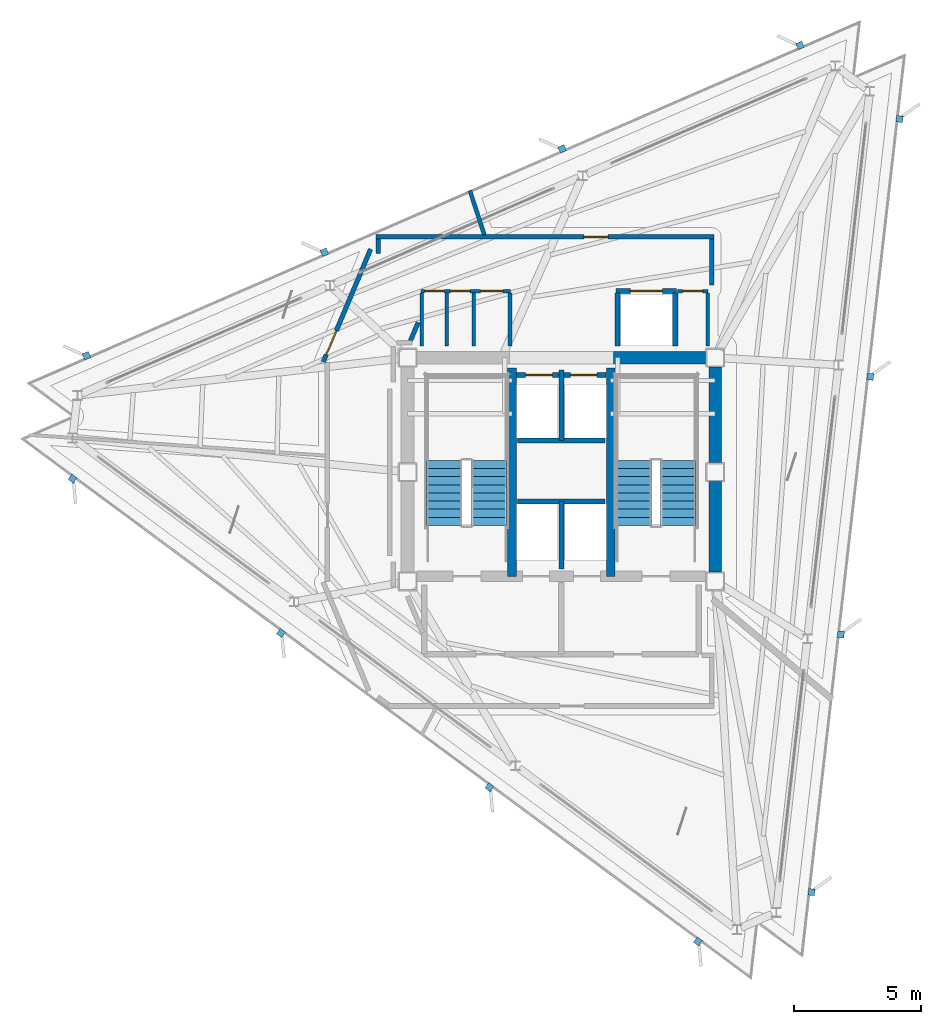
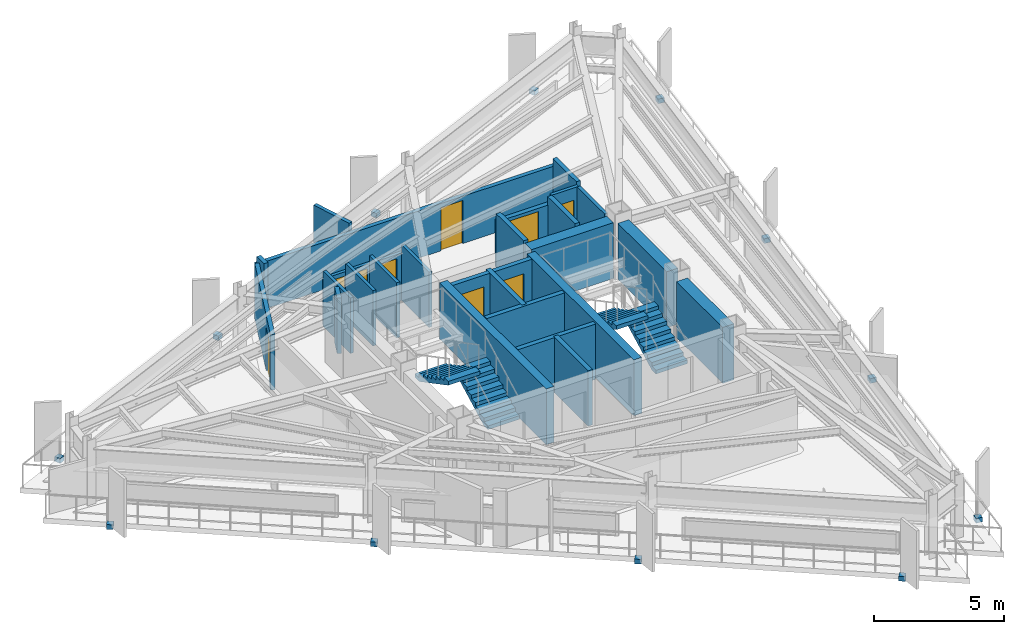
# One storey, part 6 of 9: 26 walls, 12 discrete accessories, 9 doors, 4 stair flights, 9 openings, 2 elements without a shape of their own.
"""IFC4 building model written with IfcOpenShell, lengths in metres."""

from ifc_helpers import new_model, si_unit, direction, frame, frame_2d, origin, origin_2d, place, context, subcontext, project, spatial, polyline, rectangle, outline, extrude, material, layer, layer_set, type_object, element, fill, aggregate, save


model = new_model("IFC4")

# Units and contexts
model_context = context("Model", 3, precision=1e-05, world=origin(), true_north=direction((0.0, 1.0)))
body_context = subcontext(model_context, "Body", "Model", "MODEL_VIEW")
ifc_project = project(units=[si_unit("LENGTHUNIT", "METRE"), si_unit("AREAUNIT", "SQUARE_METRE"), si_unit("VOLUMEUNIT", "CUBIC_METRE"), si_unit("PLANEANGLEUNIT", "RADIAN"), si_unit("MASSUNIT", "GRAM", prefix="KILO")], contexts=[model_context])

# Site, building, storey
site_placement = place(None, origin())
site = spatial("IfcSite", under=ifc_project, at=site_placement, CompositionType="ELEMENT")
building_placement = place(site_placement, origin())
building = spatial("IfcBuilding", under=site, at=building_placement, Name="Rocaltana Carrier Exchange", CompositionType="ELEMENT")
storey_placement = place(building_placement, frame((0.0, 0.0, 236.159912109375)))
storey = spatial("IfcBuildingStorey", under=building, at=storey_placement, Name="L75", CompositionType="ELEMENT", Elevation=236.159912109375)

# Walls
ifc_material_1 = material(Name="Double Acoustic Gypsum Partition", Category="gypsum")
ifc_layer_1 = layer(ifc_material_1, 0.159912109375)
ifc_layer_set_1 = layer_set([ifc_layer_1], Name="Double Acoustic Gypsum Partition")
wall_type_1 = type_object("IfcWallType", Name="Acoustic Studio Partition 160 EI60", PredefinedType="PARTITIONING", material=ifc_layer_set_1)
wall_1_placement = place(storey_placement, frame((-3.031494140625, 9.330078125, 0.0), z_axis=(0.0, 0.0, 1.0), x_axis=(-0.309047032626, 0.951046755751, 0.0)))
element("IfcWall", 1, at=wall_1_placement, inside=storey, type_object=wall_type_1, Name="L75 Suite Divider Wall D3", PredefinedType="PARTITIONING", context=body_context, shape_type="SweptSolid", body=[
    extrude(rectangle(XDim=1.83837890625, YDim=0.159912109375, at=frame_2d((0.919189453125, 0.0))), origin(), (0.0, 0.0, 1.0), 2.593017578125),
])
ifc_material_2 = material(Name="Concrete C50/60", Category="concrete")
ifc_layer_2 = layer(ifc_material_2, 0.35009765625)
ifc_layer_set_2 = layer_set([ifc_layer_2], Name="Concrete C50/60")
wall_type_2 = type_object("IfcWallType", Name="Core Internal Shear Wall 350", PredefinedType="SHEAR", material=ifc_layer_set_2)
for number, where, z_axis, x_axis, name in (
    (2, (-1.93994140625, -4.10009765625, 0.0), (0.0, 0.0, 1.0), (0.0, 1.0, 0.0), "L75 Core Shear Wall CW-STW"),
    (3, (1.93994140625, -4.10009765625, 0.0), (0.0, 0.0, 1.0), (0.0, 1.0, 0.0), "L75 Core Shear Wall CW-STE"),
):
    element("IfcWall", number, at=place(storey_placement, frame(where, z_axis=z_axis, x_axis=x_axis)), inside=storey, type_object=wall_type_2, Name=name, PredefinedType="SHEAR", context=body_context, shape_type="SweptSolid", body=[
        extrude(rectangle(XDim=8.2001953125, YDim=0.35009765625, at=frame_2d((4.10009765625, 0.0))), origin(), (0.0, 0.0, 1.0), 2.6181640625),
    ])
ifc_material_3 = material(Name="Concrete C50/60", Category="concrete")
ifc_layer_3 = layer(ifc_material_3, 0.5)
ifc_layer_set_3 = layer_set([ifc_layer_3], Name="Concrete C50/60")
wall_type_3 = type_object("IfcWallType", Name="Core Shear Wall 500", PredefinedType="SHEAR", material=ifc_layer_set_3)
wall_2_placement = place(storey_placement, frame((6.050048828125, 0.375, 0.0), z_axis=(0.0, 0.0, 1.0), x_axis=(0.0, 1.0, 0.0)))
element("IfcWall", 4, at=wall_2_placement, inside=storey, type_object=wall_type_3, Name="L75 Core Shear Wall CW-EN", PredefinedType="SHEAR", context=body_context, shape_type="SweptSolid", body=[
    extrude(rectangle(XDim=3.75, YDim=0.5, at=frame_2d((1.875, 0.0))), origin(), (0.0, 0.0, 1.0), 2.6181640625),
])
wall_3_placement = place(storey_placement, frame((6.050048828125, -3.925048828125, 0.0), z_axis=(0.0, 0.0, 1.0), x_axis=(0.0, 1.0, 0.0)))
element("IfcWall", 5, at=wall_3_placement, inside=storey, type_object=wall_type_3, Name="L75 Core Shear Wall CW-ES", PredefinedType="SHEAR", context=body_context, shape_type="SweptSolid", body=[
    extrude(rectangle(XDim=3.550048828125, YDim=0.5, at=frame_2d((1.77490234375, 0.0))), origin(), (0.0, 0.0, 1.0), 2.6181640625),
])
wall_4_placement = place(storey_placement, frame((2.050048828125, 4.5, 0.0), z_axis=(0.0, 0.0, 1.0), x_axis=(1.0, 0.0, 0.0)))
element("IfcWall", 6, at=wall_4_placement, inside=storey, type_object=wall_type_3, Name="L75 Core Shear Wall CW-N2", PredefinedType="SHEAR", context=body_context, shape_type="SweptSolid", body=[
    extrude(rectangle(XDim=3.625, YDim=0.5, at=frame_2d((1.8125, 0.0))), origin(), (0.0, 0.0, 1.0), 2.6181640625),
])

# Wall, opening, door
ifc_material_4 = material(Name="Gypsum & Steel Stud Partition", Category="steel")
ifc_layer_4 = layer(ifc_material_4, 0.179931640625)
ifc_layer_set_4 = layer_set([ifc_layer_4], Name="Gypsum & Steel Stud Partition")
wall_type_4 = type_object("IfcWallType", Name="Corridor Fire Partition 180 EI60", PredefinedType="PARTITIONING", material=ifc_layer_set_4)
wall_5_placement = place(storey_placement, frame((-9.36669921875, 4.331787109375, 0.0), z_axis=(0.0, 0.0, 1.0), x_axis=(0.387573945081, 0.921838617706, 0.0)))
wall_5 = element("IfcWall", 7, at=wall_5_placement, inside=storey, type_object=wall_type_4, Name="L75 Corridor Partition 3", PredefinedType="PARTITIONING", context=body_context, shape_type="SweptSolid", body=[
    extrude(rectangle(XDim=4.813232421875, YDim=0.179931640625, at=frame_2d((2.40673828125, 0.0))), origin(), (0.0, 0.0, 1.0), 2.593017578125),
])
opening_1_placement = place(wall_5_placement, frame((0.307373046875, 0.0, 0.0)))
opening_1 = element("IfcOpeningElement", 8, at=opening_1_placement, cuts=wall_5, Name="Opening D-LB104", PredefinedType="OPENING", context=body_context, shape_type="SweptSolid", body=[
    extrude(rectangle(XDim=1.02001953125, YDim=2.02001953125, at=frame_2d((0.510009765625, 1.010009765625))), frame((0.0, 0.099853515625, 0.0), z_axis=(0.0, -1.0, 0.0), x_axis=(1.0, 0.0, 0.0)), (0.0, 0.0, 1.0), 0.199951171875),
])
ifc_material_5 = material(Name="Powder-Coated Aluminium 6063-T6", Category="aluminium")
door_type_1 = type_object("IfcDoorType", Name="Laboratory Acoustic Door 1020x2020", OperationType="NOTDEFINED", PredefinedType="DOOR", material=ifc_material_5)
door_1_placement = place(opening_1_placement, origin())
door_1 = element("IfcDoor", 9, at=door_1_placement, inside=storey, type_object=door_type_1, Name="L75 Optical Switching Laboratory Entrance Door", OperationType="SINGLE_SWING_RIGHT", OverallHeight=2.02001953125, OverallWidth=1.02001953125, PredefinedType="DOOR", context=body_context, shape_type="SweptSolid", body=[
    extrude(rectangle(XDim=1.02001953125, YDim=2.02001953125, at=frame_2d((0.510009765625, 1.010009765625))), frame((0.0, 0.02490234375, 0.0), z_axis=(0.0, -1.0, 0.0), x_axis=(1.0, 0.0, 0.0)), (0.0, 0.0, 1.0), 0.050048828125),
])
fill(opening_1, door_1)

# Wall
wall_6_placement = place(storey_placement, frame((-7.199951171875, 8.6005859375, 0.0), z_axis=(0.0, 0.0, 1.0), x_axis=(0.0, 1.0, 0.0)))
element("IfcWall", 10, at=wall_6_placement, inside=storey, type_object=wall_type_4, Name="L75 Corridor Partition 4", PredefinedType="PARTITIONING", context=body_context, shape_type="SweptSolid", body=[
    extrude(rectangle(XDim=0.559326171875, YDim=0.179931640625, at=frame_2d((0.27978515625, 0.0))), origin(), (0.0, 0.0, 1.0), 2.593017578125),
])

# Wall, opening, door
wall_7_placement = place(storey_placement, frame((-7.2900390625, 9.25, 0.0), z_axis=(0.0, 0.0, 1.0), x_axis=(1.0, 0.0, 0.0)))
wall_7 = element("IfcWall", 11, at=wall_7_placement, inside=storey, type_object=wall_type_4, Name="L75 Corridor Partition 5", PredefinedType="PARTITIONING", context=body_context, shape_type="SweptSolid", body=[
    extrude(rectangle(XDim=13.300048828125, YDim=0.179931640625, at=frame_2d((6.64990234375, 0.0))), origin(), (0.0, 0.0, 1.0), 2.215087890625),
])
opening_2_placement = place(wall_7_placement, frame((8.17041015625, 0.0, 0.0)))
opening_2 = element("IfcOpeningElement", 12, at=opening_2_placement, cuts=wall_7, Name="Opening D-RM098", PredefinedType="OPENING", context=body_context, shape_type="SweptSolid", body=[
    extrude(rectangle(XDim=0.9599609375, YDim=2.02001953125, at=frame_2d((0.47998046875, 1.010009765625))), frame((0.0, 0.099853515625, 0.0), z_axis=(0.0, -1.0, 0.0), x_axis=(1.0, 0.0, 0.0)), (0.0, 0.0, 1.0), 0.199951171875),
])
ifc_material_6 = material(Name="Engineered Hardwood Timber", Category="wood")
door_type_2 = type_object("IfcDoorType", Name="Workspace Single Door 960x2020", OperationType="NOTDEFINED", PredefinedType="DOOR", material=ifc_material_6)
door_2_placement = place(opening_2_placement, origin())
door_2 = element("IfcDoor", 13, at=door_2_placement, inside=storey, type_object=door_type_2, Name="L75 Cloud Architecture Office Entrance Door", OperationType="SINGLE_SWING_LEFT", OverallHeight=2.02001953125, OverallWidth=0.9599609375, PredefinedType="DOOR", context=body_context, shape_type="SweptSolid", body=[
    extrude(rectangle(XDim=0.9599609375, YDim=2.02001953125, at=frame_2d((0.47998046875, 1.010009765625))), frame((0.0, 0.02490234375, 0.0), z_axis=(0.0, -1.0, 0.0), x_axis=(1.0, 0.0, 0.0)), (0.0, 0.0, 1.0), 0.050048828125),
])
fill(opening_2, door_2)

# Walls
wall_8_placement = place(storey_placement, frame((5.919921875, 9.159912109375, 0.0), z_axis=(0.0, 0.0, 1.0), x_axis=(0.0, -1.0, 0.0)))
element("IfcWall", 14, at=wall_8_placement, inside=storey, type_object=wall_type_4, Name="L75 Corridor Partition 6", PredefinedType="PARTITIONING", context=body_context, shape_type="SweptSolid", body=[
    extrude(rectangle(XDim=1.7998046875, YDim=0.179931640625, at=frame_2d((0.89990234375, 0.0))), origin(), (0.0, 0.0, 1.0), 2.593017578125),
])
wall_9_placement = place(storey_placement, frame((-5.632080078125, 5.88671875, 0.0), z_axis=(0.0, 0.0, 1.0), x_axis=(-0.387792833522, -0.921746558588, 0.0)))
element("IfcWall", 15, at=wall_9_placement, inside=storey, type_object=wall_type_4, Name="L75 Corridor Partition 8", PredefinedType="PARTITIONING", context=body_context, shape_type="SweptSolid", body=[
    extrude(rectangle(XDim=0.78515625, YDim=0.179931640625, at=frame_2d((0.392578125, 0.0))), origin(), (0.0, 0.0, 1.0), 2.593017578125),
])
ifc_material_7 = material(Name="Reinforced Concrete Block C35/45", Category="concrete")
ifc_layer_5 = layer(ifc_material_7, 0.199951171875)
ifc_layer_set_5 = layer_set([ifc_layer_5], Name="Reinforced Concrete Block C35/45")
wall_type_5 = type_object("IfcWallType", Name="Lift Hoistway Enclosure Wall 200 EI120", PredefinedType="PARTITIONING", material=ifc_layer_set_5)
wall_10_placement = place(storey_placement, frame((0.0, -3.820068359375, 0.0), z_axis=(0.0, 0.0, 1.0), x_axis=(0.0, 1.0, 0.0)))
element("IfcWall", 16, at=wall_10_placement, inside=storey, type_object=wall_type_5, Name="L75 FFL Shaft Divider", PredefinedType="PARTITIONING", context=body_context, shape_type="SweptSolid", body=[
    extrude(rectangle(XDim=2.670166015625, YDim=0.199951171875, at=frame_2d((1.3349609375, 0.0))), origin(), (0.0, 0.0, 1.0), 2.593017578125),
])
wall_11_placement = place(storey_placement, frame((-1.719970703125, -1.14990234375, 0.0), z_axis=(0.0, 0.0, 1.0), x_axis=(1.0, 0.0, 0.0)))
element("IfcWall", 17, at=wall_11_placement, inside=storey, type_object=wall_type_5, Name="L75 FFL Shaft Back Wall", PredefinedType="PARTITIONING", context=body_context, shape_type="SweptSolid", body=[
    extrude(rectangle(XDim=3.43994140625, YDim=0.199951171875, at=frame_2d((1.719970703125, 0.0))), origin(), (0.0, 0.0, 1.0), 2.593017578125),
])
wall_12_placement = place(storey_placement, frame((0.0, 1.25, 0.0), z_axis=(0.0, 0.0, 1.0), x_axis=(0.0, 1.0, 0.0)))
element("IfcWall", 18, at=wall_12_placement, inside=storey, type_object=wall_type_5, Name="L75 High-Rise Shaft Divider", PredefinedType="PARTITIONING", context=body_context, shape_type="SweptSolid", body=[
    extrude(rectangle(XDim=2.77001953125, YDim=0.199951171875, at=frame_2d((1.385009765625, 0.0))), origin(), (0.0, 0.0, 1.0), 2.593017578125),
])
wall_13_placement = place(storey_placement, frame((-1.719970703125, 1.25, 0.0), z_axis=(0.0, 0.0, 1.0), x_axis=(1.0, 0.0, 0.0)))
element("IfcWall", 19, at=wall_13_placement, inside=storey, type_object=wall_type_5, Name="L75 High-Rise Shaft Back Wall", PredefinedType="PARTITIONING", context=body_context, shape_type="SweptSolid", body=[
    extrude(rectangle(XDim=3.43994140625, YDim=0.199951171875, at=frame_2d((1.719970703125, 0.0))), origin(), (0.0, 0.0, 1.0), 2.593017578125),
])

# Wall, openings, doors
wall_14_placement = place(storey_placement, frame((-1.760009765625, 3.820068359375, 0.0), z_axis=(0.0, 0.0, 1.0), x_axis=(1.0, 0.0, 0.0)))
wall_14 = element("IfcWall", 20, at=wall_14_placement, inside=storey, type_object=wall_type_5, Name="L75 High-Rise Lift Front Wall", PredefinedType="PARTITIONING", context=body_context, shape_type="SweptSolid", body=[
    extrude(rectangle(XDim=3.52001953125, YDim=0.199951171875, at=frame_2d((1.760009765625, 0.0))), origin(), (0.0, 0.0, 1.0), 2.593017578125),
])
opening_3_placement = place(wall_14_placement, frame((0.35009765625, 0.0, 0.0)))
opening_3 = element("IfcOpeningElement", 21, at=opening_3_placement, cuts=wall_14, Name="Opening LD-110", PredefinedType="OPENING", context=body_context, shape_type="SweptSolid", body=[
    extrude(rectangle(XDim=1.06005859375, YDim=2.0400390625, at=frame_2d((0.530029296875, 1.02001953125))), frame((0.0, 0.10986328125, 0.0), z_axis=(0.0, -1.0, 0.0), x_axis=(1.0, 0.0, 0.0)), (0.0, 0.0, 1.0), 0.219970703125),
])
opening_4_placement = place(wall_14_placement, frame((2.110107421875, 0.0, 0.0)))
opening_4 = element("IfcOpeningElement", 22, at=opening_4_placement, cuts=wall_14, Name="Opening LD-110", PredefinedType="OPENING", context=body_context, shape_type="SweptSolid", body=[
    extrude(rectangle(XDim=1.06005859375, YDim=2.0400390625, at=frame_2d((0.530029296875, 1.02001953125))), frame((0.0, 0.10986328125, 0.0), z_axis=(0.0, -1.0, 0.0), x_axis=(1.0, 0.0, 0.0)), (0.0, 0.0, 1.0), 0.219970703125),
])
ifc_material_8 = material(Name="Brushed Stainless Sliding Door Leaf", Category="steel")
door_type_3 = type_object("IfcDoorType", Name="Lift Landing Sliding Door 1060x2040", OperationType="NOTDEFINED", PredefinedType="DOOR", material=ifc_material_8)
door_3_placement = place(opening_3_placement, origin())
door_3 = element("IfcDoor", 23, at=door_3_placement, inside=storey, type_object=door_type_3, Name="L75 High-Rise Lift PLH1 Landing Door", OperationType="SLIDING_TO_LEFT", OverallHeight=2.0400390625, OverallWidth=1.06005859375, PredefinedType="DOOR", context=body_context, shape_type="SweptSolid", body=[
    extrude(rectangle(XDim=1.06005859375, YDim=2.0400390625, at=frame_2d((0.530029296875, 1.02001953125))), frame((0.0, 0.02490234375, 0.0), z_axis=(0.0, -1.0, 0.0), x_axis=(1.0, 0.0, 0.0)), (0.0, 0.0, 1.0), 0.050048828125),
])
fill(opening_3, door_3)
door_4_placement = place(opening_4_placement, origin())
door_4 = element("IfcDoor", 24, at=door_4_placement, inside=storey, type_object=door_type_3, Name="L75 High-Rise Lift PLH2 Landing Door", OperationType="SLIDING_TO_RIGHT", OverallHeight=2.0400390625, OverallWidth=1.06005859375, PredefinedType="DOOR", context=body_context, shape_type="SweptSolid", body=[
    extrude(rectangle(XDim=1.06005859375, YDim=2.0400390625, at=frame_2d((0.530029296875, 1.02001953125))), frame((0.0, 0.02490234375, 0.0), z_axis=(0.0, -1.0, 0.0), x_axis=(1.0, 0.0, 0.0)), (0.0, 0.0, 1.0), 0.050048828125),
])
fill(opening_4, door_4)

# Walls
for number, where, z_axis, x_axis, name in (
    (25, (2.199951171875, 4.949951171875, 0.0), (0.0, 0.0, 1.0), (0.0, 1.0, 0.0), "L75 Goods Lift West Wall"),
    (26, (4.47998046875, 4.949951171875, 0.0), (0.0, 0.0, 1.0), (0.0, 1.0, 0.0), "L75 Goods Lift East Wall"),
):
    element("IfcWall", number, at=place(storey_placement, frame(where, z_axis=z_axis, x_axis=x_axis)), inside=storey, type_object=wall_type_5, Name=name, PredefinedType="PARTITIONING", context=body_context, shape_type="SweptSolid", body=[
        extrude(rectangle(XDim=2.10009765625, YDim=0.199951171875, at=frame_2d((1.050048828125, 0.0))), origin(), (0.0, 0.0, 1.0), 2.593017578125),
    ])

# Wall, opening, door
wall_15_placement = place(storey_placement, frame((2.14990234375, 7.1201171875, 0.0), z_axis=(0.0, 0.0, 1.0), x_axis=(1.0, 0.0, 0.0)))
wall_15 = element("IfcWall", 27, at=wall_15_placement, inside=storey, type_object=wall_type_5, Name="L75 Goods Lift Front Wall", PredefinedType="PARTITIONING", context=body_context, shape_type="SweptSolid", body=[
    extrude(rectangle(XDim=2.380126953125, YDim=0.199951171875, at=frame_2d((1.18994140625, 0.0))), origin(), (0.0, 0.0, 1.0), 2.215087890625),
])
opening_5_placement = place(wall_15_placement, frame((0.56005859375, 0.0, 0.0)))
opening_5 = element("IfcOpeningElement", 28, at=opening_5_placement, cuts=wall_15, Name="Opening LD-130", PredefinedType="OPENING", context=body_context, shape_type="SweptSolid", body=[
    extrude(rectangle(XDim=1.260009765625, YDim=2.06005859375, at=frame_2d((0.6298828125, 1.030029296875))), frame((0.0, 0.10986328125, 0.0), z_axis=(0.0, -1.0, 0.0), x_axis=(1.0, 0.0, 0.0)), (0.0, 0.0, 1.0), 0.219970703125),
])
ifc_material_9 = material(Name="Brushed Stainless Sliding Door Leaf", Category="steel")
door_type_4 = type_object("IfcDoorType", Name="Goods Lift Landing Sliding Door 1260x2060", OperationType="NOTDEFINED", PredefinedType="DOOR", material=ifc_material_9)
door_5_placement = place(opening_5_placement, origin())
door_5 = element("IfcDoor", 29, at=door_5_placement, inside=storey, type_object=door_type_4, Name="L75 Goods Lift GL-1 Landing Door", OperationType="SLIDING_TO_LEFT", OverallHeight=2.06005859375, OverallWidth=1.260009765625, PredefinedType="DOOR", context=body_context, shape_type="SweptSolid", body=[
    extrude(rectangle(XDim=1.260009765625, YDim=2.06005859375, at=frame_2d((0.6298828125, 1.030029296875))), frame((0.0, 0.02490234375, 0.0), z_axis=(0.0, -1.0, 0.0), x_axis=(1.0, 0.0, 0.0)), (0.0, 0.0, 1.0), 0.050048828125),
])
fill(opening_5, door_5)

# Walls
ifc_material_10 = material(Name="Moisture-Resistant Masonry C30/37", Category="masonry")
ifc_layer_6 = layer(ifc_material_10, 0.139892578125)
ifc_layer_set_6 = layer_set([ifc_layer_6], Name="Moisture-Resistant Masonry C30/37")
wall_type_6 = type_object("IfcWallType", Name="Wet-Area Sanitary Partition 140", PredefinedType="PARTITIONING", material=ifc_layer_set_6)
for number, where, z_axis, x_axis, name in (
    (30, (-5.5, 4.949951171875, 0.0), (0.0, 0.0, 1.0), (0.0, 1.0, 0.0), "L75 Sanitary West Wall"),
    (31, (-4.5, 4.949951171875, 0.0), (0.0, 0.0, 1.0), (0.0, 1.0, 0.0), "L75 Sanitary Divider 1"),
    (32, (-3.449951171875, 4.949951171875, 0.0), (0.0, 0.0, 1.0), (0.0, 1.0, 0.0), "L75 Sanitary Divider 2"),
    (33, (-2.02001953125, 4.949951171875, 0.0), (0.0, 0.0, 1.0), (0.0, 1.0, 0.0), "L75 Sanitary East Wall"),
):
    element("IfcWall", number, at=place(storey_placement, frame(where, z_axis=z_axis, x_axis=x_axis)), inside=storey, type_object=wall_type_6, Name=name, PredefinedType="PARTITIONING", context=body_context, shape_type="SweptSolid", body=[
        extrude(rectangle(XDim=2.10009765625, YDim=0.139892578125, at=frame_2d((1.050048828125, 0.0))), origin(), (0.0, 0.0, 1.0), 2.593017578125),
    ])

# Wall, openings, doors
wall_16_placement = place(storey_placement, frame((-5.52001953125, 7.1201171875, 0.0), z_axis=(0.0, 0.0, 1.0), x_axis=(1.0, 0.0, 0.0)))
wall_16 = element("IfcWall", 34, at=wall_16_placement, inside=storey, type_object=wall_type_6, Name="L75 Sanitary North Wall", PredefinedType="PARTITIONING", context=body_context, shape_type="SweptSolid", body=[
    extrude(rectangle(XDim=3.52001953125, YDim=0.139892578125, at=frame_2d((1.760009765625, 0.0))), origin(), (0.0, 0.0, 1.0), 2.215087890625),
])
opening_6_placement = place(wall_16_placement, frame((0.139892578125, 0.0, 0.0)))
opening_6 = element("IfcOpeningElement", 35, at=opening_6_placement, cuts=wall_16, Name="Opening D-RS082", PredefinedType="OPENING", context=body_context, shape_type="SweptSolid", body=[
    extrude(rectangle(XDim=0.780029296875, YDim=2.010009765625, at=frame_2d((0.39013671875, 1.0048828125))), frame((0.0, 0.079833984375, 0.0), z_axis=(0.0, -1.0, 0.0), x_axis=(1.0, 0.0, 0.0)), (0.0, 0.0, 1.0), 0.159912109375),
])
opening_7_placement = place(wall_16_placement, frame((1.14990234375, 0.0, 0.0)))
opening_7 = element("IfcOpeningElement", 36, at=opening_7_placement, cuts=wall_16, Name="Opening D-RS082", PredefinedType="OPENING", context=body_context, shape_type="SweptSolid", body=[
    extrude(rectangle(XDim=0.780029296875, YDim=2.010009765625, at=frame_2d((0.39013671875, 1.0048828125))), frame((0.0, 0.079833984375, 0.0), z_axis=(0.0, -1.0, 0.0), x_axis=(1.0, 0.0, 0.0)), (0.0, 0.0, 1.0), 0.159912109375),
])
opening_8_placement = place(wall_16_placement, frame((2.340087890625, 0.0, 0.0)))
opening_8 = element("IfcOpeningElement", 37, at=opening_8_placement, cuts=wall_16, Name="Opening D-WC090", PredefinedType="OPENING", context=body_context, shape_type="SweptSolid", body=[
    extrude(rectangle(XDim=0.8798828125, YDim=2.02001953125, at=frame_2d((0.43994140625, 1.010009765625))), frame((0.0, 0.079833984375, 0.0), z_axis=(0.0, -1.0, 0.0), x_axis=(1.0, 0.0, 0.0)), (0.0, 0.0, 1.0), 0.159912109375),
])
ifc_material_11 = material(Name="High-Pressure Laminate Timber", Category="wood")
door_type_5 = type_object("IfcDoorType", Name="Restroom & Accessible WC Door 880x2020", OperationType="NOTDEFINED", PredefinedType="DOOR", material=ifc_material_11)
door_6_placement = place(opening_8_placement, origin())
door_6 = element("IfcDoor", 38, at=door_6_placement, inside=storey, type_object=door_type_5, Name="L75 Accessible Toilet Door", OperationType="SINGLE_SWING_LEFT", OverallHeight=2.02001953125, OverallWidth=0.8798828125, PredefinedType="DOOR", context=body_context, shape_type="SweptSolid", body=[
    extrude(rectangle(XDim=0.8798828125, YDim=2.02001953125, at=frame_2d((0.43994140625, 1.010009765625))), frame((0.0, 0.02490234375, 0.0), z_axis=(0.0, -1.0, 0.0), x_axis=(1.0, 0.0, 0.0)), (0.0, 0.0, 1.0), 0.050048828125),
])
fill(opening_8, door_6)
ifc_material_12 = material(Name="Hollow Metal Access Door Leaf", Category="steel")
door_type_6 = type_object("IfcDoorType", Name="Riser & Service Closet Door 780x2010", OperationType="NOTDEFINED", PredefinedType="DOOR", material=ifc_material_12)
door_7_placement = place(opening_6_placement, origin())
door_7 = element("IfcDoor", 39, at=door_7_placement, inside=storey, type_object=door_type_6, Name="L75 Cleaner Store Door", OperationType="SINGLE_SWING_LEFT", OverallHeight=2.010009765625, OverallWidth=0.780029296875, PredefinedType="DOOR", context=body_context, shape_type="SweptSolid", body=[
    extrude(rectangle(XDim=0.780029296875, YDim=2.010009765625, at=frame_2d((0.39013671875, 1.0048828125))), frame((0.0, 0.02490234375, 0.0), z_axis=(0.0, -1.0, 0.0), x_axis=(1.0, 0.0, 0.0)), (0.0, 0.0, 1.0), 0.050048828125),
])
fill(opening_6, door_7)
door_8_placement = place(opening_7_placement, origin())
door_8 = element("IfcDoor", 40, at=door_8_placement, inside=storey, type_object=door_type_6, Name="L75 Staff Restroom Door", OperationType="SINGLE_SWING_RIGHT", OverallHeight=2.010009765625, OverallWidth=0.780029296875, PredefinedType="DOOR", context=body_context, shape_type="SweptSolid", body=[
    extrude(rectangle(XDim=0.780029296875, YDim=2.010009765625, at=frame_2d((0.39013671875, 1.0048828125))), frame((0.0, 0.02490234375, 0.0), z_axis=(0.0, -1.0, 0.0), x_axis=(1.0, 0.0, 0.0)), (0.0, 0.0, 1.0), 0.050048828125),
])
fill(opening_7, door_8)

# Wall
wall_17_placement = place(storey_placement, frame((5.760009765625, 4.949951171875, 0.0), z_axis=(0.0, 0.0, 1.0), x_axis=(0.0, 1.0, 0.0)))
element("IfcWall", 41, at=wall_17_placement, inside=storey, type_object=wall_type_6, Name="L75 Riser East Wall", PredefinedType="PARTITIONING", context=body_context, shape_type="SweptSolid", body=[
    extrude(rectangle(XDim=2.10009765625, YDim=0.139892578125, at=frame_2d((1.050048828125, 0.0))), origin(), (0.0, 0.0, 1.0), 2.593017578125),
])

# Wall, opening, door
wall_18_placement = place(storey_placement, frame((4.56005859375, 7.1201171875, 0.0), z_axis=(0.0, 0.0, 1.0), x_axis=(1.0, 0.0, 0.0)))
wall_18 = element("IfcWall", 42, at=wall_18_placement, inside=storey, type_object=wall_type_6, Name="L75 Riser North Wall", PredefinedType="PARTITIONING", context=body_context, shape_type="SweptSolid", body=[
    extrude(rectangle(XDim=1.199951171875, YDim=0.139892578125, at=frame_2d((0.60009765625, 0.0))), origin(), (0.0, 0.0, 1.0), 2.593017578125),
])
opening_9_placement = place(wall_18_placement, frame((0.2099609375, 0.0, 0.0)))
opening_9 = element("IfcOpeningElement", 43, at=opening_9_placement, cuts=wall_18, Name="Opening D-RS082", PredefinedType="OPENING", context=body_context, shape_type="SweptSolid", body=[
    extrude(rectangle(XDim=0.780029296875, YDim=2.010009765625, at=frame_2d((0.39013671875, 1.0048828125))), frame((0.0, 0.079833984375, 0.0), z_axis=(0.0, -1.0, 0.0), x_axis=(1.0, 0.0, 0.0)), (0.0, 0.0, 1.0), 0.159912109375),
])
door_9_placement = place(opening_9_placement, origin())
door_9 = element("IfcDoor", 44, at=door_9_placement, inside=storey, type_object=door_type_6, Name="L75 Signal Riser Closet Door", OperationType="SINGLE_SWING_RIGHT", OverallHeight=2.010009765625, OverallWidth=0.780029296875, PredefinedType="DOOR", context=body_context, shape_type="SweptSolid", body=[
    extrude(rectangle(XDim=0.780029296875, YDim=2.010009765625, at=frame_2d((0.39013671875, 1.0048828125))), frame((0.0, 0.02490234375, 0.0), z_axis=(0.0, -1.0, 0.0), x_axis=(1.0, 0.0, 0.0)), (0.0, 0.0, 1.0), 0.050048828125),
])
fill(opening_9, door_9)

# Stair, stair flights
ifc_material_13 = material(Name="Precast concrete C45/55", Category="concrete")
stair_type = type_object("IfcStairType", Name="Standard Dog-Leg Stair 160", PredefinedType="HALF_TURN_STAIR", material=ifc_material_13)
stair_1_placement = place(storey_placement, origin())
stair_1 = element("IfcStair", 45, at=stair_1_placement, inside=storey, type_object=stair_type, Name="L75 Core West Exit Stair ST-1", PredefinedType="HALF_TURN_STAIR")
ifc_material_14 = material(Name="Precast concrete C45/55", Category="concrete")
stair_flight_type = type_object("IfcStairFlightType", Name="Precast Stair Flight 160", PredefinedType="STRAIGHT", material=ifc_material_14)
stair_flight_1_placement = place(storey_placement, frame((-2.840087890625, -2.10009765625, 0.0), z_axis=(0.0, 0.0, 1.0), x_axis=(0.0, 1.0, 0.0)))
stair_flight_1 = element("IfcStairFlight", 46, at=stair_flight_1_placement, type_object=stair_flight_type, Name="ST-1 flight 1", NumberOfRisers=9, NumberOfTreads=8, PredefinedType="STRAIGHT", RiserHeight=0.168888889, TreadLength=0.32, context=body_context, shape_type="SweptSolid", body=[
    extrude(outline(polyline([(0.0, 0.0), (0.0, 0.1689453125), (0.320068359375, 0.1689453125), (0.320068359375, 0.337890625), (0.639892578125, 0.337890625), (0.639892578125, 0.506591796875), (0.9599609375, 0.506591796875), (0.9599609375, 0.675537109375), (1.280029296875, 0.675537109375), (1.280029296875, 0.844482421875), (1.60009765625, 0.844482421875), (1.60009765625, 1.013427734375), (1.919921875, 1.013427734375), (1.919921875, 1.18212890625), (2.239990234375, 1.18212890625), (2.239990234375, 1.35107421875), (2.56005859375, 1.35107421875), (2.56005859375, 1.52001953125), (2.56005859375, 1.17041015625), (0.342529296875, 0.0), (0.0, 0.0)])), frame((0.0, 0.699951171875, 0.0), z_axis=(0.0, -1.0, 0.0), x_axis=(1.0, 0.0, 0.0)), (0.0, 0.0, 1.0), 1.39990234375),
])
stair_flight_2_placement = place(storey_placement, frame((-4.60009765625, 0.4599609375, 1.52001953125), z_axis=(0.0, 0.0, 1.0), x_axis=(0.0, -1.0, 0.0)))
stair_flight_2 = element("IfcStairFlight", 47, at=stair_flight_2_placement, type_object=stair_flight_type, Name="ST-1 flight 2", NumberOfRisers=9, NumberOfTreads=8, PredefinedType="STRAIGHT", RiserHeight=0.168888889, TreadLength=0.32, context=body_context, shape_type="SweptSolid", body=[
    extrude(outline(polyline([(0.0, 0.0), (0.0, 0.1689453125), (0.320068359375, 0.1689453125), (0.320068359375, 0.337890625), (0.639892578125, 0.337890625), (0.639892578125, 0.506591796875), (0.9599609375, 0.506591796875), (0.9599609375, 0.675537109375), (1.280029296875, 0.675537109375), (1.280029296875, 0.844482421875), (1.60009765625, 0.844482421875), (1.60009765625, 1.013427734375), (1.919921875, 1.013427734375), (1.919921875, 1.18212890625), (2.239990234375, 1.18212890625), (2.239990234375, 1.35107421875), (2.56005859375, 1.35107421875), (2.56005859375, 1.52001953125), (2.56005859375, 1.17041015625), (0.342529296875, 0.0), (0.0, 0.0)])), frame((0.0, 0.699951171875, 0.0), z_axis=(0.0, -1.0, 0.0), x_axis=(1.0, 0.0, 0.0)), (0.0, 0.0, 1.0), 1.39990234375),
])
aggregate(stair_1, [stair_flight_1, stair_flight_2])

stair_2_placement = place(storey_placement, origin())
stair_2 = element("IfcStair", 48, at=stair_2_placement, inside=storey, type_object=stair_type, Name="L75 Core East Exit Stair ST-2", PredefinedType="HALF_TURN_STAIR")
stair_flight_3_placement = place(storey_placement, frame((4.60009765625, -2.10009765625, 0.0), z_axis=(0.0, 0.0, 1.0), x_axis=(0.0, 1.0, 0.0)))
stair_flight_3 = element("IfcStairFlight", 49, at=stair_flight_3_placement, type_object=stair_flight_type, Name="ST-2 flight 1", NumberOfRisers=9, NumberOfTreads=8, PredefinedType="STRAIGHT", RiserHeight=0.168888889, TreadLength=0.32, context=body_context, shape_type="SweptSolid", body=[
    extrude(outline(polyline([(0.0, 0.0), (0.0, 0.1689453125), (0.320068359375, 0.1689453125), (0.320068359375, 0.337890625), (0.639892578125, 0.337890625), (0.639892578125, 0.506591796875), (0.9599609375, 0.506591796875), (0.9599609375, 0.675537109375), (1.280029296875, 0.675537109375), (1.280029296875, 0.844482421875), (1.60009765625, 0.844482421875), (1.60009765625, 1.013427734375), (1.919921875, 1.013427734375), (1.919921875, 1.18212890625), (2.239990234375, 1.18212890625), (2.239990234375, 1.35107421875), (2.56005859375, 1.35107421875), (2.56005859375, 1.52001953125), (2.56005859375, 1.17041015625), (0.342529296875, 0.0), (0.0, 0.0)])), frame((0.0, 0.699951171875, 0.0), z_axis=(0.0, -1.0, 0.0), x_axis=(1.0, 0.0, 0.0)), (0.0, 0.0, 1.0), 1.39990234375),
])
stair_flight_4_placement = place(storey_placement, frame((2.840087890625, 0.4599609375, 1.52001953125), z_axis=(0.0, 0.0, 1.0), x_axis=(0.0, -1.0, 0.0)))
stair_flight_4 = element("IfcStairFlight", 50, at=stair_flight_4_placement, type_object=stair_flight_type, Name="ST-2 flight 2", NumberOfRisers=9, NumberOfTreads=8, PredefinedType="STRAIGHT", RiserHeight=0.168888889, TreadLength=0.32, context=body_context, shape_type="SweptSolid", body=[
    extrude(outline(polyline([(0.0, 0.0), (0.0, 0.1689453125), (0.320068359375, 0.1689453125), (0.320068359375, 0.337890625), (0.639892578125, 0.337890625), (0.639892578125, 0.506591796875), (0.9599609375, 0.506591796875), (0.9599609375, 0.675537109375), (1.280029296875, 0.675537109375), (1.280029296875, 0.844482421875), (1.60009765625, 0.844482421875), (1.60009765625, 1.013427734375), (1.919921875, 1.013427734375), (1.919921875, 1.18212890625), (2.239990234375, 1.18212890625), (2.239990234375, 1.35107421875), (2.56005859375, 1.35107421875), (2.56005859375, 1.52001953125), (2.56005859375, 1.17041015625), (0.342529296875, 0.0), (0.0, 0.0)])), frame((0.0, 0.699951171875, 0.0), z_axis=(0.0, -1.0, 0.0), x_axis=(1.0, 0.0, 0.0)), (0.0, 0.0, 1.0), 1.39990234375),
])
aggregate(stair_2, [stair_flight_3, stair_flight_4])

# Discrete accessories
ifc_material_15 = material(Name="Brushed Architectural Stainless Metal", Category="steel")
ifc_layer_7 = layer(ifc_material_15, 0.219970703125)
ifc_layer_set_7 = layer_set([ifc_layer_7], Name="Brushed Architectural Stainless Metal")
discrete_accessory_type = type_object("IfcDiscreteAccessoryType", Name="Stainless Fin Slab-Edge Bracket 260x260x220", PredefinedType="BRACKET", material=ifc_layer_set_7)
for number, where, z_axis, x_axis, name in (
    (51, (9.837890625, -16.52001953125, -0.2099609375), (0.0, 0.0, 1.0), (0.113203213768, 0.993571855677, 0.0), "L75 Sandstone Fin Edge Bracket F1-01"),
    (52, (10.992431640625, -6.385498046875, -0.2099609375), (0.0, 0.0, 1.0), (0.113203213768, 0.993571855677, 0.0), "L75 Sandstone Fin Edge Bracket F1-02"),
    (53, (12.147216796875, 3.7490234375, -0.2099609375), (0.0, 0.0, 1.0), (0.113203213768, 0.993571855677, 0.0), "L75 Sandstone Fin Edge Bracket F1-03"),
    (54, (13.302001953125, 13.88330078125, -0.2099609375), (0.0, 0.0, 1.0), (0.113203213768, 0.993571855677, 0.0), "L75 Sandstone Fin Edge Bracket F1-04"),
    (55, (9.3876953125, 16.77978515625, -0.2099609375), (0.0, 0.0, 1.0), (-0.917060074385, -0.398749068925, 0.0), "L75 Sandstone Fin Edge Bracket F2-01"),
    (56, (0.03369140625, 12.71240234375, -0.2099609375), (0.0, 0.0, 1.0), (-0.917060074385, -0.398749068925, 0.0), "L75 Sandstone Fin Edge Bracket F2-02"),
    (57, (-9.3203125, 8.645263671875, -0.2099609375), (0.0, 0.0, 1.0), (-0.917060074385, -0.398749068925, 0.0), "L75 Sandstone Fin Edge Bracket F2-03"),
    (58, (-18.67431640625, 4.578125, -0.2099609375), (0.0, 0.0, 1.0), (-0.917060074385, -0.398749068925, 0.0), "L75 Sandstone Fin Edge Bracket F2-04"),
    (59, (-19.2255859375, -0.260009765625, -0.2099609375), (0.0, 0.0, 1.0), (0.803856860617, -0.594822786751, 0.0), "L75 Sandstone Fin Edge Bracket F3-01"),
    (60, (-11.026123046875, -6.3271484375, -0.2099609375), (0.0, 0.0, 1.0), (0.803856860617, -0.594822786751, 0.0), "L75 Sandstone Fin Edge Bracket F3-02"),
    (61, (-2.826904296875, -12.394287109375, -0.2099609375), (0.0, 0.0, 1.0), (0.803856860617, -0.594822786751, 0.0), "L75 Sandstone Fin Edge Bracket F3-03"),
    (62, (5.37255859375, -18.46142578125, -0.2099609375), (0.0, 0.0, 1.0), (0.803856860617, -0.594822786751, 0.0), "L75 Sandstone Fin Edge Bracket F3-04"),
):
    element("IfcDiscreteAccessory", number, at=place(storey_placement, frame(where, z_axis=z_axis, x_axis=x_axis)), inside=storey, type_object=discrete_accessory_type, Name=name, PredefinedType="BRACKET", context=body_context, shape_type="SweptSolid", body=[
        extrude(rectangle(XDim=0.260009765625, YDim=0.260009765625, at=origin_2d()), origin(), (0.0, 0.0, 1.0), 0.219970703125),
    ])

save(model, "model.ifc")
